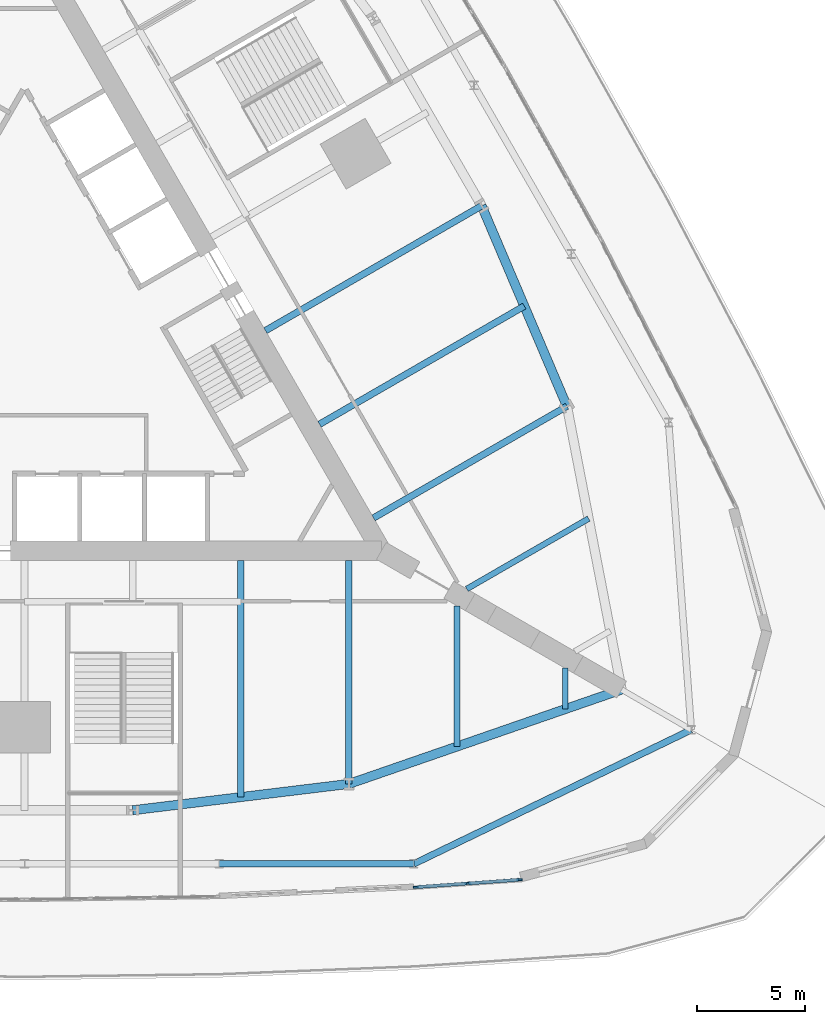
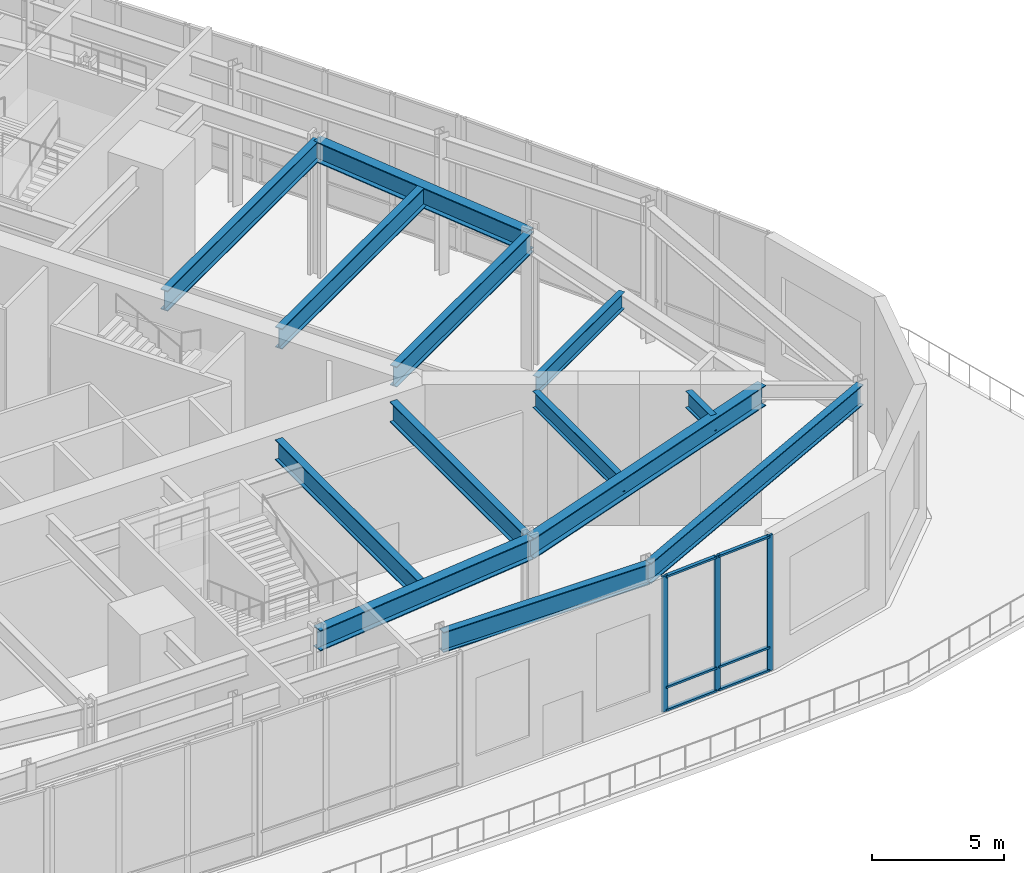
# One storey, part 5 of 19: 13 beams, 9 members, 1 element without a shape of its own.
"""IFC4 building model written with IfcOpenShell, lengths in metres."""

import ifcopenshell
import ifcopenshell.guid

model = None  # the IFC model being written
_history = None  # IfcOwnerHistory: only IFC2X3 demands one
_inside = {}  # id of a spatial element -> (the spatial element, [elements in it])
_under = {}  # id of a project, library or spatial element -> (it, [spatial elements below it])
_declared = {}  # id of a project -> (the project, [libraries it declares])
_typed = {}  # id of a type object -> (the type object, [elements of that type])
_made_of = {}  # id of a material, layer set ... -> (it, [elements and type objects made of it])


def new_model(schema):
    """Start an empty IFC model of exactly this schema.

    Asked for "IFC4X3", IfcOpenShell would pick the latest addendum, in which some entities
    have other attributes; the version numbers below select the first issue.
    IFC2X3 requires an IfcOwnerHistory on every rooted entity: one is made here for all.
    """
    global model, _history
    if schema == "IFC4X3":
        model = ifcopenshell.file(schema_version=(4, 3, 0, 0))
    else:
        model = ifcopenshell.file(schema=schema)
    _inside.clear()
    _under.clear()
    _declared.clear()
    _typed.clear()
    _made_of.clear()
    _history = None
    if model.schema == "IFC2X3":
        org = make("IfcOrganization", Name="unknown")
        user = make(
            "IfcPersonAndOrganization",
            ThePerson=make("IfcPerson", FamilyName="unknown"),
            TheOrganization=org,
        )
        app = make(
            "IfcApplication",
            ApplicationDeveloper=org,
            Version="unknown",
            ApplicationFullName="unknown",
            ApplicationIdentifier="unknown",
        )
        _history = make(
            "IfcOwnerHistory",
            OwningUser=user,
            OwningApplication=app,
            ChangeAction="ADDED",
            CreationDate=0,
        )
    return model


def make(cls, **values):
    """One entity of the class cls with the attributes given. An attribute that is None is left unset."""
    return model.create_entity(
        cls, **{name: value for name, value in values.items() if value is not None}
    )


def rooted(cls, **values):
    """An entity with a GlobalId (a new one), such as an element, a storey or a relation."""
    return make(cls, GlobalId=ifcopenshell.guid.new(), OwnerHistory=_history, **values)


def si_unit(unit_type, name, prefix=None):
    """IfcSIUnit, for example si_unit("LENGTHUNIT", "METRE", prefix="MILLI")."""
    return make("IfcSIUnit", UnitType=unit_type, Prefix=prefix, Name=name)


def assignment(units):
    """IfcUnitAssignment: the units of a project."""
    return None if units is None else make("IfcUnitAssignment", Units=units)


def point(xyz):
    """IfcCartesianPoint."""
    return None if xyz is None else make("IfcCartesianPoint", Coordinates=xyz)


def direction(xyz):
    """IfcDirection."""
    return None if xyz is None else make("IfcDirection", DirectionRatios=xyz)


def frame(location, z_axis=None, x_axis=None):
    """IfcAxis2Placement3D, a coordinate frame: its origin and axes. An axis left out is left unset."""
    return make(
        "IfcAxis2Placement3D",
        Location=point(location),
        Axis=direction(z_axis),
        RefDirection=direction(x_axis),
    )


def frame_2d(location, x_axis=None):
    """IfcAxis2Placement2D, a coordinate frame in the plane: its origin and x axis."""
    return make(
        "IfcAxis2Placement2D", Location=point(location), RefDirection=direction(x_axis)
    )


def origin():
    """The frame at (0, 0, 0) with its axes left unset."""
    return frame((0.0, 0.0, 0.0))


def origin_2d():
    """The frame at (0, 0) in the plane with its x axis left unset."""
    return frame_2d((0.0, 0.0))


def place(relative_to, where):
    """IfcLocalPlacement: puts the frame where relative to a parent placement (None: the world)."""
    return make(
        "IfcLocalPlacement", PlacementRelTo=relative_to, RelativePlacement=where
    )


def context(
    kind, dimensions, precision=None, world=None, true_north=None, identifier=None
):
    """IfcGeometricRepresentationContext, for example the 3D "Model" context."""
    return make(
        "IfcGeometricRepresentationContext",
        ContextIdentifier=identifier,
        ContextType=kind,
        CoordinateSpaceDimension=dimensions,
        Precision=precision,
        WorldCoordinateSystem=world,
        TrueNorth=true_north,
    )


def subcontext(parent, identifier, kind, view, scale=None):
    """IfcGeometricRepresentationSubContext, for example "Body" below "Model"."""
    return make(
        "IfcGeometricRepresentationSubContext",
        ContextIdentifier=identifier,
        ContextType=kind,
        ParentContext=parent,
        TargetScale=scale,
        TargetView=view,
    )


def project(units=None, contexts=None):
    """IfcProject with its units and contexts."""
    return rooted(
        "IfcProject",
        Name="project",
        RepresentationContexts=contexts,
        UnitsInContext=assignment(units),
    )


def spatial(cls, under=None, at=None, **own):
    """A site, building, storey or space (cls), placed at a placement, below another one or the project."""
    s = rooted(cls, ObjectPlacement=at, **own)
    if under is not None:
        _under.setdefault(under.id(), (under, []))[1].append(s)
    return s


def profile(cls, at=None, kind="AREA", **sizes):
    """A parametric profile (cls). Its sizes go by their IFC names, for example OverallWidth=200.0."""
    return make(cls, ProfileType=kind, Position=at, **sizes)


def rectangle(**sizes):
    """IfcRectangleProfileDef."""
    return profile("IfcRectangleProfileDef", **sizes)


def i_section(**sizes):
    """IfcIShapeProfileDef."""
    return profile("IfcIShapeProfileDef", **sizes)


def extrude(swept, where, along, depth):
    """IfcExtrudedAreaSolid: the profile swept, set in the frame where, extruded along a direction by depth."""
    return make(
        "IfcExtrudedAreaSolid",
        SweptArea=swept,
        Position=where,
        ExtrudedDirection=direction(along),
        Depth=depth,
    )


def shape(context_of_items, identifier, shape_type, items):
    """IfcShapeRepresentation: the items that make up one representation, for example the "Body"."""
    return make(
        "IfcShapeRepresentation",
        ContextOfItems=context_of_items,
        RepresentationIdentifier=identifier,
        RepresentationType=shape_type,
        Items=items,
    )


def material(Name=None, Category=None):
    """IfcMaterial."""
    return make("IfcMaterial", Name=Name, Category=Category)


def material_profile(
    of_material, cross_section, Name=None, Category=None, Priority=None
):
    """IfcMaterialProfile: a cross section and its material."""
    return make(
        "IfcMaterialProfile",
        Name=Name,
        Material=of_material,
        Profile=cross_section,
        Priority=Priority,
        Category=Category,
    )


def profile_set(profiles, Name=None, composite=None):
    """IfcMaterialProfileSet."""
    return make(
        "IfcMaterialProfileSet",
        Name=Name,
        MaterialProfiles=profiles,
        CompositeProfile=composite,
    )


def made_of(thing, what):
    """Note that an element or type object is made of a material, layer set ...; save() writes the relation."""
    if what is not None:
        _made_of.setdefault(what.id(), (what, []))[1].append(thing)
    return thing


def type_object(cls, material=None, **own):
    """A type object (cls), such as IfcWallType, which elements share."""
    return made_of(rooted(cls, **own), material)


def element(
    cls,
    number,
    at=None,
    inside=None,
    cuts=None,
    type_object=None,
    material=None,
    context=None,
    identifier="Body",
    shape_type=None,
    held_by="IfcProductDefinitionShape",
    body=None,
    shapes=None,
    **own,
):
    """One element of the class cls, such as IfcWall. Its Tag is "e" and its number.

    at: its placement. inside: the storey or other place that contains it. cuts: it is an
    opening in that element (IfcRelVoidsElement). A single representation is given by context,
    identifier, shape_type and body (its items); several are given by shapes. held_by: the class
    of the entity that holds the representations. save() writes the other relations.
    """
    e = rooted(cls, Tag="e%d" % number, ObjectPlacement=at, **own)
    if body is not None:
        shapes = [shape(context, identifier, shape_type, body)]
    if shapes is not None:
        e.Representation = make(held_by, Representations=shapes)
    if inside is not None:
        _inside.setdefault(inside.id(), (inside, []))[1].append(e)
    if cuts is not None:
        rooted(
            "IfcRelVoidsElement", RelatingBuildingElement=cuts, RelatedOpeningElement=e
        )
    if type_object is not None:
        _typed.setdefault(type_object.id(), (type_object, []))[1].append(e)
    return made_of(e, material)


def aggregate(whole, parts):
    """IfcRelAggregates: a whole, such as a stair, and the parts it consists of."""
    return rooted("IfcRelAggregates", RelatingObject=whole, RelatedObjects=parts)


def save(model, path):
    """Write the relations noted so far, then the file.

    IfcRelAggregates (storeys below a building ...), IfcRelContainedInSpatialStructure (elements
    in a storey), IfcRelDefinesByType, IfcRelAssociatesMaterial and IfcRelDeclares: one each for
    every whole, place, type object, material and project.
    """
    for whole, parts in _under.values():
        aggregate(whole, parts)
    for where, things in _inside.values():
        rooted(
            "IfcRelContainedInSpatialStructure",
            RelatedElements=things,
            RelatingStructure=where,
        )
    for kind, things in _typed.values():
        rooted("IfcRelDefinesByType", RelatedObjects=things, RelatingType=kind)
    for what, things in _made_of.values():
        rooted("IfcRelAssociatesMaterial", RelatedObjects=things, RelatingMaterial=what)
    for by, libraries in _declared.values():
        rooted("IfcRelDeclares", RelatingContext=by, RelatedDefinitions=libraries)
    model.write(path)


model = new_model("IFC4")

# Units and contexts
model_context = context("Model", 3, precision=1e-05, world=origin(), true_north=direction((0.0, 1.0)))
body_context = subcontext(model_context, "Body", "Model", "MODEL_VIEW")
ifc_project = project(units=[si_unit("LENGTHUNIT", "METRE"), si_unit("AREAUNIT", "SQUARE_METRE"), si_unit("VOLUMEUNIT", "CUBIC_METRE"), si_unit("PLANEANGLEUNIT", "RADIAN"), si_unit("MASSUNIT", "GRAM", prefix="KILO")], contexts=[model_context])

# Site, building, storey
site_placement = place(None, origin())
site = spatial("IfcSite", under=ifc_project, at=site_placement, CompositionType="ELEMENT")
building_placement = place(site_placement, origin())
building = spatial("IfcBuilding", under=site, at=building_placement, Name="Trikona Tower", CompositionType="ELEMENT")
storey_placement = place(building_placement, frame((0.0, 0.0, 11.0)))
storey = spatial("IfcBuildingStorey", under=building, at=storey_placement, Name="L02", CompositionType="ELEMENT", Elevation=11.0)

# Curtain wall, members
ifc_material_1 = material(Name="Aluminium curtain wall system", Category="aluminium")
curtain_wall_type = type_object("IfcCurtainWallType", Name="Curtain wall PD", PredefinedType="NOTDEFINED", material=ifc_material_1)
curtain_wall_placement = place(storey_placement, origin())
curtain_wall = element("IfcCurtainWall", 1, at=curtain_wall_placement, inside=storey, type_object=curtain_wall_type, Name="Curtain wall PD L02", PredefinedType="NOTDEFINED")
ifc_material_2 = material(Name="Aluminium mullion, pale anodised", Category="aluminium")
ifc_material_profile_1 = material_profile(ifc_material_2, rectangle(XDim=0.090087890625, YDim=0.25, at=origin_2d()), Name="MUL-PD")
ifc_profile_set_1 = profile_set([ifc_material_profile_1], Name="Aluminium mullion, pale anodised")
member_type_1 = type_object("IfcMemberType", Name="Mullion PD 90x250", PredefinedType="MULLION", material=ifc_profile_set_1)
member_1_placement = place(storey_placement, frame((18.09765625, -25.075439453125, 0.0), z_axis=(0.0, 0.0, 1.0), x_axis=(-0.071126492569, 0.997467303752, 0.0)))
member_1 = element("IfcMember", 2, at=member_1_placement, type_object=member_type_1, Name="CW-PD mullion 1", PredefinedType="MULLION", context=body_context, shape_type="SweptSolid", body=[
    extrude(rectangle(XDim=0.090087890625, YDim=0.25, at=origin_2d()), origin(), (0.0, 0.0, 1.0), 6.25),
])
member_2_placement = place(storey_placement, frame((20.492919921875, -24.904541015625, 0.0), z_axis=(0.0, 0.0, 1.0), x_axis=(-0.071126492569, 0.997467303752, 0.0)))
member_2 = element("IfcMember", 3, at=member_2_placement, type_object=member_type_1, Name="CW-PD mullion 2", PredefinedType="MULLION", context=body_context, shape_type="SweptSolid", body=[
    extrude(rectangle(XDim=0.090087890625, YDim=0.25, at=origin_2d()), origin(), (0.0, 0.0, 1.0), 6.25),
])
member_3_placement = place(storey_placement, frame((22.88818359375, -24.73388671875, 0.0), z_axis=(0.0, 0.0, 1.0), x_axis=(-0.071126492569, 0.997467303752, 0.0)))
member_3 = element("IfcMember", 4, at=member_3_placement, type_object=member_type_1, Name="CW-PD mullion 3", PredefinedType="MULLION", context=body_context, shape_type="SweptSolid", body=[
    extrude(rectangle(XDim=0.090087890625, YDim=0.25, at=origin_2d()), origin(), (0.0, 0.0, 1.0), 6.25),
])

# Beams
ifc_material_3 = material(Name="Steel ASTM A992 Grade 50", Category="steel")
ifc_material_profile_2 = material_profile(ifc_material_3, i_section(OverallWidth=0.2666015625, OverallDepth=0.76953125, WebThickness=0.015625, FlangeThickness=0.025390625, at=origin_2d()), Name="W30X132")
ifc_profile_set_2 = profile_set([ifc_material_profile_2], Name="Steel ASTM A992 Grade 50")
beam_type_1 = type_object("IfcBeamType", Name="Steel beam W30x132 (wedge)", PredefinedType="BEAM", material=ifc_profile_set_2)
beam_1_placement = place(storey_placement, frame((20.0, -12.066650390625, 5.865234375), z_axis=(0.0, -1.0, 0.0), x_axis=(1.0, 0.0, 0.0)))
element("IfcBeam", 5, at=beam_1_placement, inside=storey, type_object=beam_type_1, Name="Floor beam L03 F1 u20", PredefinedType="BEAM", context=body_context, shape_type="SweptSolid", body=[
    extrude(i_section(OverallWidth=0.2666015625, OverallDepth=0.76953125, WebThickness=0.015625, FlangeThickness=0.025390625, at=origin_2d()), origin(), (0.0, 0.0, 1.0), 6.5068359375),
])
beam_2_placement = place(storey_placement, frame((25.0, -14.953369140625, 5.865234375), z_axis=(0.0, -1.0, 0.0), x_axis=(1.0, 0.0, 0.0)))
element("IfcBeam", 6, at=beam_2_placement, inside=storey, type_object=beam_type_1, Name="Floor beam L03 F1 u25", PredefinedType="BEAM", context=body_context, shape_type="SweptSolid", body=[
    extrude(i_section(OverallWidth=0.2666015625, OverallDepth=0.76953125, WebThickness=0.015625, FlangeThickness=0.025390625, at=origin_2d()), origin(), (0.0, 0.0, 1.0), 1.890380859375),
])
beam_3_placement = place(storey_placement, frame((20.449951171875, -11.287109375, 5.865234375), z_axis=(0.866022504693, 0.50000502134, 0.0), x_axis=(-0.50000502134, 0.866022504693, 0.0)))
element("IfcBeam", 7, at=beam_3_placement, inside=storey, type_object=beam_type_1, Name="Floor beam L03 F2 u-20", PredefinedType="BEAM", context=body_context, shape_type="SweptSolid", body=[
    extrude(i_section(OverallWidth=0.2666015625, OverallDepth=0.76953125, WebThickness=0.015625, FlangeThickness=0.025390625, at=origin_2d()), origin(), (0.0, 0.0, 1.0), 6.5068359375),
])
ifc_material_4 = material(Name="Steel ASTM A992 Grade 50", Category="steel")
ifc_material_profile_3 = material_profile(ifc_material_4, i_section(OverallWidth=0.307373046875, OverallDepth=0.9423828125, WebThickness=0.022216796875, FlangeThickness=0.039794921875, at=origin_2d()), Name="W36X232")
ifc_profile_set_3 = profile_set([ifc_material_profile_3], Name="Steel ASTM A992 Grade 50")
beam_type_2 = type_object("IfcBeamType", Name="Steel beam W36x232 (ballroom)", PredefinedType="BEAM", material=ifc_profile_set_3)
beam_4_placement = place(storey_placement, frame((9.0, -24.0, 5.77880859375), z_axis=(1.0, 0.0, 0.0), x_axis=(0.0, 1.0, 0.0)))
element("IfcBeam", 8, at=beam_4_placement, inside=storey, type_object=beam_type_2, Name="Podium beam L03 GR24F0p9-R24F0p18", PredefinedType="BEAM", context=body_context, shape_type="SweptSolid", body=[
    extrude(i_section(OverallWidth=0.307373046875, OverallDepth=0.9423828125, WebThickness=0.022216796875, FlangeThickness=0.039794921875, at=origin_2d()), origin(), (0.0, 0.0, 1.0), 9.0),
])
beam_5_placement = place(storey_placement, frame((30.83056640625, -17.800048828125, 5.77880859375), z_axis=(-0.900389895956, -0.435083940476, 0.0), x_axis=(0.435083940476, -0.900389895956, 0.0)))
element("IfcBeam", 9, at=beam_5_placement, inside=storey, type_object=beam_type_2, Name="Podium beam L03 CK0D35.6-R24F0p18", PredefinedType="BEAM", context=body_context, shape_type="SweptSolid", body=[
    extrude(i_section(OverallWidth=0.307373046875, OverallDepth=0.9423828125, WebThickness=0.022216796875, FlangeThickness=0.039794921875, at=origin_2d()), origin(), (0.0, 0.0, 1.0), 14.25),
])
ifc_material_5 = material(Name="Steel ASTM A992 Grade 50", Category="steel")
ifc_material_profile_4 = material_profile(ifc_material_5, i_section(OverallWidth=0.307373046875, OverallDepth=0.9423828125, WebThickness=0.022216796875, FlangeThickness=0.039794921875, at=origin_2d()), Name="W36X232")
ifc_profile_set_4 = profile_set([ifc_material_profile_4], Name="Steel ASTM A992 Grade 50")
beam_type_3 = type_object("IfcBeamType", Name="Steel beam W36x232 (radial low)", PredefinedType="BEAM", material=ifc_profile_set_4)
beam_6_placement = place(storey_placement, frame((10.0, -9.976318359375, 5.77880859375), z_axis=(0.0, -1.0, 0.0), x_axis=(1.0, 0.0, 0.0)))
element("IfcBeam", 10, at=beam_6_placement, inside=storey, type_object=beam_type_3, Name="Floor beam L03 F1 u10", PredefinedType="BEAM", context=body_context, shape_type="SweptSolid", body=[
    extrude(i_section(OverallWidth=0.307373046875, OverallDepth=0.9423828125, WebThickness=0.022216796875, FlangeThickness=0.039794921875, at=origin_2d()), origin(), (0.0, 0.0, 1.0), 10.935302734375),
])
beam_7_placement = place(storey_placement, frame((15.0, -9.976318359375, 5.77880859375), z_axis=(0.0, -1.0, 0.0), x_axis=(1.0, 0.0, 0.0)))
element("IfcBeam", 11, at=beam_7_placement, inside=storey, type_object=beam_type_3, Name="Floor beam L03 F1 u15", PredefinedType="BEAM", context=body_context, shape_type="SweptSolid", body=[
    extrude(i_section(OverallWidth=0.307373046875, OverallDepth=0.9423828125, WebThickness=0.022216796875, FlangeThickness=0.039794921875, at=origin_2d()), origin(), (0.0, 0.0, 1.0), 10.32666015625),
])
beam_8_placement = place(storey_placement, frame((16.1396484375, -8.002197265625, 5.77880859375), z_axis=(0.866030471684, 0.499991222037, 0.0), x_axis=(-0.499991222037, 0.866030471684, 0.0)))
element("IfcBeam", 12, at=beam_8_placement, inside=storey, type_object=beam_type_3, Name="Floor beam L03 F2 u-15", PredefinedType="BEAM", context=body_context, shape_type="SweptSolid", body=[
    extrude(i_section(OverallWidth=0.307373046875, OverallDepth=0.9423828125, WebThickness=0.022216796875, FlangeThickness=0.039794921875, at=origin_2d()), origin(), (0.0, 0.0, 1.0), 10.326904296875),
])
beam_9_placement = place(storey_placement, frame((13.6396484375, -3.672119140625, 5.77880859375), z_axis=(0.866025348605, 0.500000095573, 0.0), x_axis=(-0.500000095573, 0.866025348605, 0.0)))
element("IfcBeam", 13, at=beam_9_placement, inside=storey, type_object=beam_type_3, Name="Floor beam L03 F2 u-10", PredefinedType="BEAM", context=body_context, shape_type="SweptSolid", body=[
    extrude(i_section(OverallWidth=0.307373046875, OverallDepth=0.9423828125, WebThickness=0.022216796875, FlangeThickness=0.039794921875, at=origin_2d()), origin(), (0.0, 0.0, 1.0), 10.935546875),
])
beam_10_placement = place(storey_placement, frame((11.1396484375, 0.657958984375, 5.77880859375), z_axis=(0.866020765707, 0.500008033299, 0.0), x_axis=(-0.500008033299, 0.866020765707, 0.0)))
element("IfcBeam", 14, at=beam_10_placement, inside=storey, type_object=beam_type_3, Name="Floor beam L03 F2 u-5", PredefinedType="BEAM", context=body_context, shape_type="SweptSolid", body=[
    extrude(i_section(OverallWidth=0.307373046875, OverallDepth=0.9423828125, WebThickness=0.022216796875, FlangeThickness=0.039794921875, at=origin_2d()), origin(), (0.0, 0.0, 1.0), 11.544189453125),
])
ifc_material_6 = material(Name="Steel ASTM A992 Grade 50", Category="steel")
ifc_material_profile_5 = material_profile(ifc_material_6, i_section(OverallWidth=0.424072265625, OverallDepth=0.947509765625, WebThickness=0.02392578125, FlangeThickness=0.042724609375, at=origin_2d()), Name="W36X302")
ifc_profile_set_5 = profile_set([ifc_material_profile_5], Name="Steel ASTM A992 Grade 50")
beam_type_4 = type_object("IfcBeamType", Name="Steel beam W36x302 (pod tower spandrel)", PredefinedType="BEAM", material=ifc_profile_set_5)
beam_11_placement = place(storey_placement, frame((5.0, -21.5205078125, 5.7763671875), z_axis=(0.99266951126, 0.120860421207, 0.0), x_axis=(-0.120860421207, 0.99266951126, 0.0)))
element("IfcBeam", 15, at=beam_11_placement, inside=storey, type_object=beam_type_4, Name="Spandrel beam L03 F1-4", PredefinedType="BEAM", context=body_context, shape_type="SweptSolid", body=[
    extrude(i_section(OverallWidth=0.424072265625, OverallDepth=0.947509765625, WebThickness=0.02392578125, FlangeThickness=0.042724609375, at=origin_2d()), origin(), (0.0, 0.0, 1.0), 10.07373046875),
])
beam_12_placement = place(storey_placement, frame((15.0, -20.302978515625, 5.7763671875), z_axis=(0.945056965739, 0.326905692071, 0.0), x_axis=(-0.326905692071, 0.945056965739, 0.0)))
element("IfcBeam", 16, at=beam_12_placement, inside=storey, type_object=beam_type_4, Name="Spandrel beam L03 F1-5", PredefinedType="BEAM", context=body_context, shape_type="SweptSolid", body=[
    extrude(i_section(OverallWidth=0.424072265625, OverallDepth=0.947509765625, WebThickness=0.02392578125, FlangeThickness=0.042724609375, at=origin_2d()), origin(), (0.0, 0.0, 1.0), 13.343505859375),
])
beam_13_placement = place(storey_placement, frame((25.0830078125, -2.8388671875, 5.7763671875), z_axis=(-0.391683514847, 0.920100007715, 0.0), x_axis=(-0.920100007715, -0.391683514847, 0.0)))
element("IfcBeam", 17, at=beam_13_placement, inside=storey, type_object=beam_type_4, Name="Spandrel beam L03 F2-2", PredefinedType="BEAM", context=body_context, shape_type="SweptSolid", body=[
    extrude(i_section(OverallWidth=0.424072265625, OverallDepth=0.947509765625, WebThickness=0.02392578125, FlangeThickness=0.042724609375, at=origin_2d()), origin(), (0.0, 0.0, 1.0), 10.073974609375),
])

# Member
ifc_material_7 = material(Name="Aluminium transom, pale anodised", Category="aluminium")
ifc_material_profile_6 = material_profile(ifc_material_7, rectangle(XDim=0.14990234375, YDim=0.090087890625, at=origin_2d()), Name="TRN-PD")
ifc_profile_set_6 = profile_set([ifc_material_profile_6], Name="Aluminium transom, pale anodised")
member_type_2 = type_object("IfcMemberType", Name="Transom PD 90x150", PredefinedType="USERDEFINED", material=ifc_profile_set_6)
member_4_placement = place(storey_placement, frame((18.142578125, -25.072265625, 0.044921875), z_axis=(0.997462451791, 0.071194503072, 0.0), x_axis=(-0.071194503072, 0.997462451791, 0.0)))
member_4 = element("IfcMember", 18, at=member_4_placement, type_object=member_type_2, Name="CW-PD transom 1.1", ObjectType="TRANSOM", PredefinedType="USERDEFINED", context=body_context, shape_type="SweptSolid", body=[
    extrude(rectangle(XDim=0.14990234375, YDim=0.090087890625, at=origin_2d()), origin(), (0.0, 0.0, 1.0), 2.311279296875),
])

member_5_placement = place(storey_placement, frame((18.142578125, -25.072265625, 1.10009765625), z_axis=(0.997462451791, 0.071194503072, 0.0), x_axis=(-0.071194503072, 0.997462451791, 0.0)))
member_5 = element("IfcMember", 19, at=member_5_placement, type_object=member_type_2, Name="CW-PD transom 1.2", ObjectType="TRANSOM", PredefinedType="USERDEFINED", context=body_context, shape_type="SweptSolid", body=[
    extrude(rectangle(XDim=0.14990234375, YDim=0.090087890625, at=origin_2d()), origin(), (0.0, 0.0, 1.0), 2.311279296875),
])

member_6_placement = place(storey_placement, frame((18.142578125, -25.072265625, 6.205078125), z_axis=(0.997462451791, 0.071194503072, 0.0), x_axis=(-0.071194503072, 0.997462451791, 0.0)))
member_6 = element("IfcMember", 20, at=member_6_placement, type_object=member_type_2, Name="CW-PD transom 1.3", ObjectType="TRANSOM", PredefinedType="USERDEFINED", context=body_context, shape_type="SweptSolid", body=[
    extrude(rectangle(XDim=0.14990234375, YDim=0.090087890625, at=origin_2d()), origin(), (0.0, 0.0, 1.0), 2.311279296875),
])

member_7_placement = place(storey_placement, frame((20.537841796875, -24.9013671875, 0.044921875), z_axis=(0.997469947491, 0.071089407462, 0.0), x_axis=(-0.071089407462, 0.997469947491, 0.0)))
member_7 = element("IfcMember", 21, at=member_7_placement, type_object=member_type_2, Name="CW-PD transom 2.1", ObjectType="TRANSOM", PredefinedType="USERDEFINED", context=body_context, shape_type="SweptSolid", body=[
    extrude(rectangle(XDim=0.14990234375, YDim=0.090087890625, at=origin_2d()), origin(), (0.0, 0.0, 1.0), 2.311279296875),
])

member_8_placement = place(storey_placement, frame((20.537841796875, -24.9013671875, 1.10009765625), z_axis=(0.997469947491, 0.071089407462, 0.0), x_axis=(-0.071089407462, 0.997469947491, 0.0)))
member_8 = element("IfcMember", 22, at=member_8_placement, type_object=member_type_2, Name="CW-PD transom 2.2", ObjectType="TRANSOM", PredefinedType="USERDEFINED", context=body_context, shape_type="SweptSolid", body=[
    extrude(rectangle(XDim=0.14990234375, YDim=0.090087890625, at=origin_2d()), origin(), (0.0, 0.0, 1.0), 2.311279296875),
])

member_9_placement = place(storey_placement, frame((20.537841796875, -24.9013671875, 6.205078125), z_axis=(0.997469947491, 0.071089407462, 0.0), x_axis=(-0.071089407462, 0.997469947491, 0.0)))
member_9 = element("IfcMember", 23, at=member_9_placement, type_object=member_type_2, Name="CW-PD transom 2.3", ObjectType="TRANSOM", PredefinedType="USERDEFINED", context=body_context, shape_type="SweptSolid", body=[
    extrude(rectangle(XDim=0.14990234375, YDim=0.090087890625, at=origin_2d()), origin(), (0.0, 0.0, 1.0), 2.311279296875),
])

aggregate(curtain_wall, [member_1, member_2, member_3, member_4, member_5, member_6, member_7, member_8, member_9])

save(model, "model.ifc")
